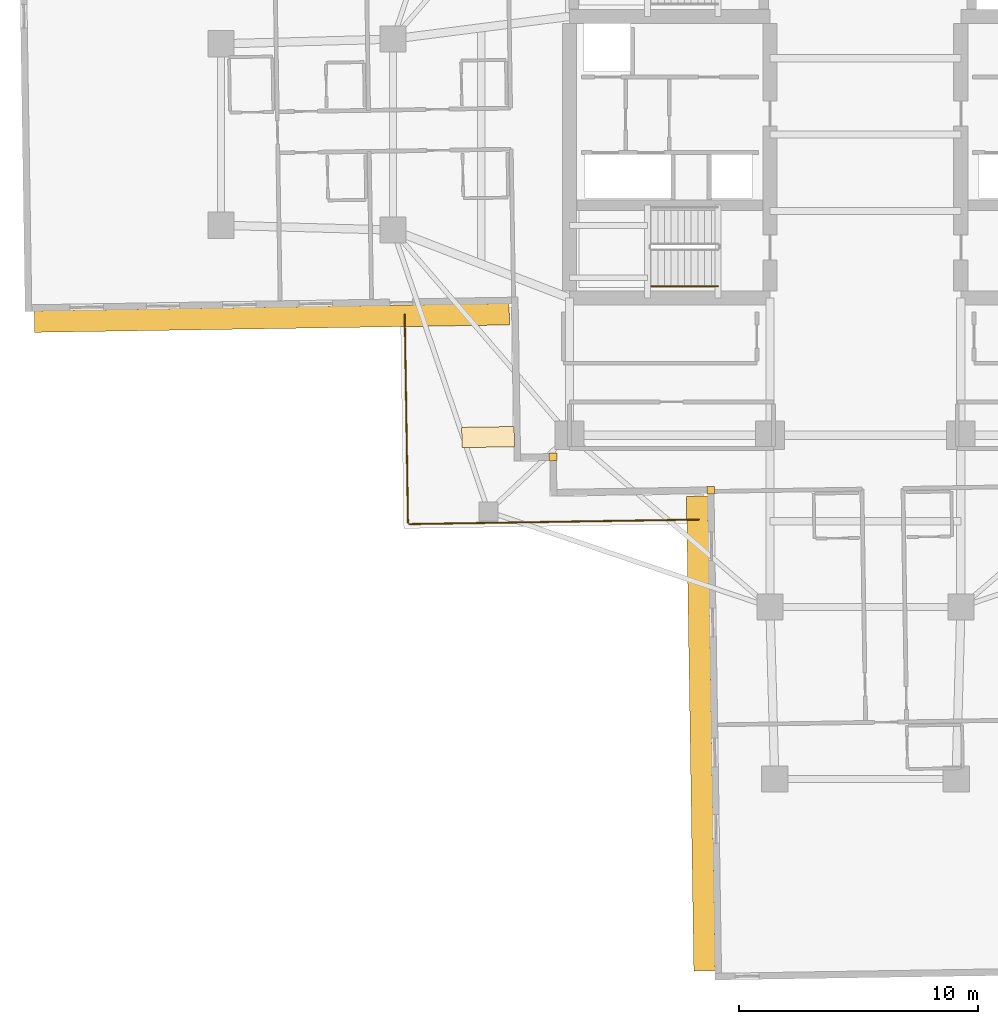
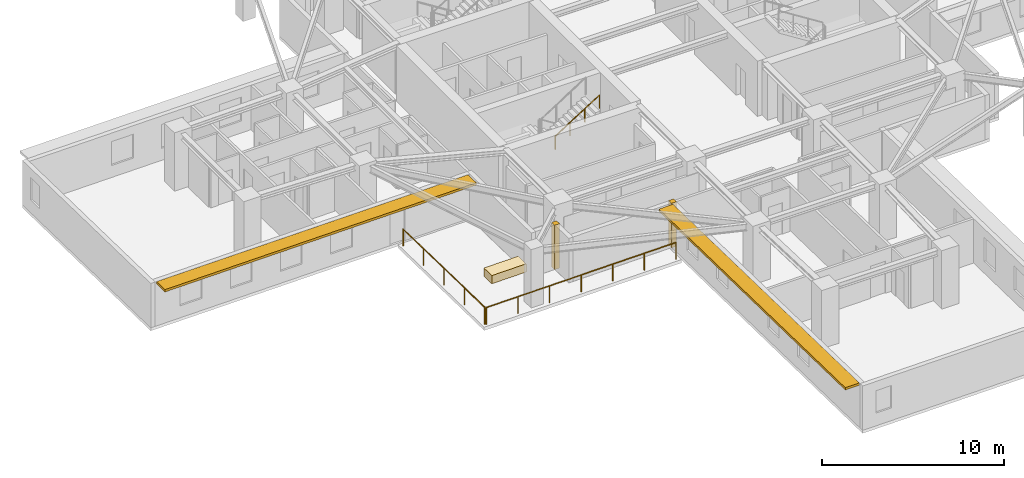
# One storey, part 10 of 14: 3 coverings, 3 railings, 2 shading devices.
"""IFC4 building model written with IfcOpenShell, lengths in metres."""

from ifc_helpers import new_model, si_unit, direction, frame, origin, origin_2d, place, context, subcontext, project, spatial, rectangle, circle, extrude, material, layer, layer_set, type_object, element, save


model = new_model("IFC4")

# Units and contexts
model_context = context("Model", 3, precision=1e-05, world=origin(), true_north=direction((0.0, 1.0)))
body_context = subcontext(model_context, "Body", "Model", "MODEL_VIEW")
ifc_project = project(units=[si_unit("LENGTHUNIT", "METRE"), si_unit("AREAUNIT", "SQUARE_METRE"), si_unit("VOLUMEUNIT", "CUBIC_METRE"), si_unit("PLANEANGLEUNIT", "RADIAN"), si_unit("MASSUNIT", "GRAM", prefix="KILO")], contexts=[model_context])

# Site, building, storey
site_placement = place(None, origin())
site = spatial("IfcSite", under=ifc_project, at=site_placement, CompositionType="ELEMENT")
building_placement = place(site_placement, origin())
building = spatial("IfcBuilding", under=site, at=building_placement, Name="Qingluan Cross Belvedere", CompositionType="ELEMENT")
storey_placement = place(building_placement, frame((0.0, 0.0, 108.60009765625)))
storey = spatial("IfcBuildingStorey", under=building, at=storey_placement, Name="L27", CompositionType="ELEMENT", Elevation=108.60009765625)

# Coverings
ifc_material_1 = material(Name="Precast concrete C45", Category="concrete")
ifc_layer_1 = layer(ifc_material_1, 0.1201171875, Name="ConcreteSpandrelCladding_120")
ifc_layer_set_1 = layer_set([ifc_layer_1], Name="Precast concrete C45")
covering_type_1 = type_object("IfcCoveringType", Name="ConcreteSpandrelCladding_120", PredefinedType="CLADDING", material=ifc_layer_set_1)
for number, where, z_axis, x_axis, name in (
    (1, (-13.089599609375, -13.50732421875, 0.0), (0.0, 0.0, 1.0), (0.999876632482, 0.015707317312, 0.0), "Corner closure L27-SW1"),
    (2, (-6.48681640625, -14.90380859375, 0.0), (0.0, 0.0, 1.0), (0.999876632482, 0.015707317312, 0.0), "Corner closure L27-SW2"),
):
    element("IfcCovering", number, at=place(storey_placement, frame(where, z_axis=z_axis, x_axis=x_axis)), inside=storey, type_object=covering_type_1, Name=name, PredefinedType="CLADDING", context=body_context, shape_type="SweptSolid", body=[
        extrude(rectangle(XDim=0.320068359375, YDim=0.320068359375, at=origin_2d()), origin(), (0.0, 0.0, 1.0), 2.969970703125),
    ])

# Shading devices
ifc_material_2 = material(Name="Precast concrete C45", Category="concrete")
ifc_layer_2 = layer(ifc_material_2, 0.159912109375, Name="ConcreteSunshadeBand_900")
ifc_layer_set_2 = layer_set([ifc_layer_2], Name="Precast concrete C45")
shading_device_type = type_object("IfcShadingDeviceType", Name="ConcreteSunshadeBand_900", PredefinedType="USERDEFINED", material=ifc_layer_set_2)
for number, where, z_axis, x_axis, name in (
    (3, (-24.872314453125, -7.681640625, 2.7900390625), (0.0, 0.0, 1.0), (0.999876567432, 0.015711457647, 0.0), "Concrete SUNSHADE L27-WB"),
    (4, (-6.896484375, -25.101318359375, 2.7900390625), (0.0, 0.0, 1.0), (0.015706483741, -0.999876645576, 0.0), "Concrete SUNSHADE L27-SA"),
):
    element("IfcShadingDevice", number, at=place(storey_placement, frame(where, z_axis=z_axis, x_axis=x_axis)), inside=storey, type_object=shading_device_type, Name=name, ObjectType="SUNSHADE", PredefinedType="USERDEFINED", context=body_context, shape_type="SweptSolid", body=[
        extrude(rectangle(XDim=19.89990234375, YDim=0.89990234375, at=origin_2d()), origin(), (0.0, 0.0, 1.0), 0.159912109375),
    ])

# Railings
ifc_material_3 = material(Name="Brushed stainless steel tubular handrail", Category="steel")
railing_type_1 = type_object("IfcRailingType", Name="StairPitchHandrail_900", PredefinedType="HANDRAIL", material=ifc_material_3)
railing_1_placement = place(storey_placement, frame((-8.97998046875, -6.35009765625, 2.127197265625)))
element("IfcRailing", 5, at=railing_1_placement, inside=storey, type_object=railing_type_1, Name="L27 ST1 stair handrail 2", PredefinedType="HANDRAIL", context=body_context, shape_type="SweptSolid", body=[
    extrude(circle(Radius=0.02392578125, at=origin_2d()), frame((0.0, 0.0, 0.8759765625), z_axis=(0.844908973607, 0.0, 0.534910110503), x_axis=(0.0, 1.0, 0.0)), (0.0, 0.0, 1.0), 3.31396484375),
    extrude(circle(Radius=0.02099609375, at=origin_2d()), origin(), (0.0, 0.0, 1.0), 0.851806640625),
    extrude(circle(Radius=0.02099609375, at=origin_2d()), frame((0.933349609375, 0.0, 0.5908203125)), (0.0, 0.0, 1.0), 0.851806640625),
    extrude(circle(Radius=0.02099609375, at=origin_2d()), frame((1.86669921875, 0.0, 1.181884765625)), (0.0, 0.0, 1.0), 0.851806640625),
    extrude(circle(Radius=0.02099609375, at=origin_2d()), frame((2.800048828125, 0.0, 1.772705078125)), (0.0, 0.0, 1.0), 0.851806640625),
])
ifc_material_4 = material(Name="Laminated glass and stainless steel balustrade", Category="steel")
railing_type_2 = type_object("IfcRailingType", Name="TerraceGuardBalustrade_1150", PredefinedType="BALUSTRADE", material=ifc_material_4)
railing_2_placement = place(storey_placement, frame((-6.987548828125, -16.1318359375, 0.0)))
element("IfcRailing", 6, at=railing_2_placement, inside=storey, type_object=railing_type_2, Name="Terrace guard L27-1", PredefinedType="BALUSTRADE", context=body_context, shape_type="SweptSolid", body=[
    extrude(circle(Radius=0.02392578125, at=origin_2d()), frame((0.0, 0.0, 1.1259765625), z_axis=(-0.999876556639, -0.015712144452, 0.0), x_axis=(0.015712144452, -0.999876556639, 0.0)), (0.0, 0.0, 1.0), 12.119873046875),
    extrude(circle(Radius=0.02099609375, at=origin_2d()), origin(), (0.0, 0.0, 1.0), 1.101806640625),
    extrude(circle(Radius=0.02099609375, at=origin_2d()), frame((-2.019775390625, -0.03173828125, 0.0)), (0.0, 0.0, 1.0), 1.101806640625),
    extrude(circle(Radius=0.02099609375, at=origin_2d()), frame((-4.03955078125, -0.0634765625, 0.0)), (0.0, 0.0, 1.0), 1.101806640625),
    extrude(circle(Radius=0.02099609375, at=origin_2d()), frame((-6.05908203125, -0.09521484375, 0.0)), (0.0, 0.0, 1.0), 1.101806640625),
    extrude(circle(Radius=0.02099609375, at=origin_2d()), frame((-8.078857421875, -0.126953125, 0.0)), (0.0, 0.0, 1.0), 1.101806640625),
    extrude(circle(Radius=0.02099609375, at=origin_2d()), frame((-10.0986328125, -0.15869140625, 0.0)), (0.0, 0.0, 1.0), 1.101806640625),
    extrude(circle(Radius=0.02099609375, at=origin_2d()), frame((-12.118408203125, -0.1904296875, 0.0)), (0.0, 0.0, 1.0), 1.101806640625),
])
railing_3_placement = place(storey_placement, frame((-19.1669921875, -16.26318359375, 0.0)))
element("IfcRailing", 7, at=railing_3_placement, inside=storey, type_object=railing_type_2, Name="Terrace guard L27-2", PredefinedType="BALUSTRADE", context=body_context, shape_type="SweptSolid", body=[
    extrude(circle(Radius=0.02392578125, at=origin_2d()), frame((0.0, 0.0, 1.1259765625), z_axis=(-0.015706627752, 0.999876643314, 0.0), x_axis=(-0.999876643314, -0.015706627752, 0.0)), (0.0, 0.0, 1.0), 8.719970703125),
    extrude(circle(Radius=0.02099609375, at=origin_2d()), origin(), (0.0, 0.0, 1.0), 1.101806640625),
    extrude(circle(Radius=0.02099609375, at=origin_2d()), frame((-0.0341796875, 2.1796875, 0.0)), (0.0, 0.0, 1.0), 1.101806640625),
    extrude(circle(Radius=0.02099609375, at=origin_2d()), frame((-0.068359375, 4.359375, 0.0)), (0.0, 0.0, 1.0), 1.101806640625),
    extrude(circle(Radius=0.02099609375, at=origin_2d()), frame((-0.102783203125, 6.539306640625, 0.0)), (0.0, 0.0, 1.0), 1.101806640625),
    extrude(circle(Radius=0.02099609375, at=origin_2d()), frame((-0.136962890625, 8.718994140625, 0.0)), (0.0, 0.0, 1.0), 1.101806640625),
])

# Covering
ifc_material_5 = material(Name="Precast concrete C40", Category="concrete")
ifc_layer_3 = layer(ifc_material_5, 0.550048828125, Name="TerracePlanterBox")
ifc_layer_set_3 = layer_set([ifc_layer_3], Name="Precast concrete C40")
covering_type_2 = type_object("IfcCoveringType", Name="TerracePlanterBox", PredefinedType="USERDEFINED", material=ifc_layer_set_3)
covering_placement = place(storey_placement, frame((-15.81201171875, -12.675048828125, 0.0), z_axis=(0.0, 0.0, 1.0), x_axis=(0.999876632482, 0.015707317312, 0.0)))
element("IfcCovering", 8, at=covering_placement, inside=storey, type_object=covering_type_2, Name="Spiralling winter-garden planter L27", ObjectType="PLANTER", PredefinedType="USERDEFINED", context=body_context, shape_type="SweptSolid", body=[
    extrude(rectangle(XDim=2.199951171875, YDim=0.85009765625, at=origin_2d()), origin(), (0.0, 0.0, 1.0), 0.550048828125),
])

save(model, "model.ifc")
